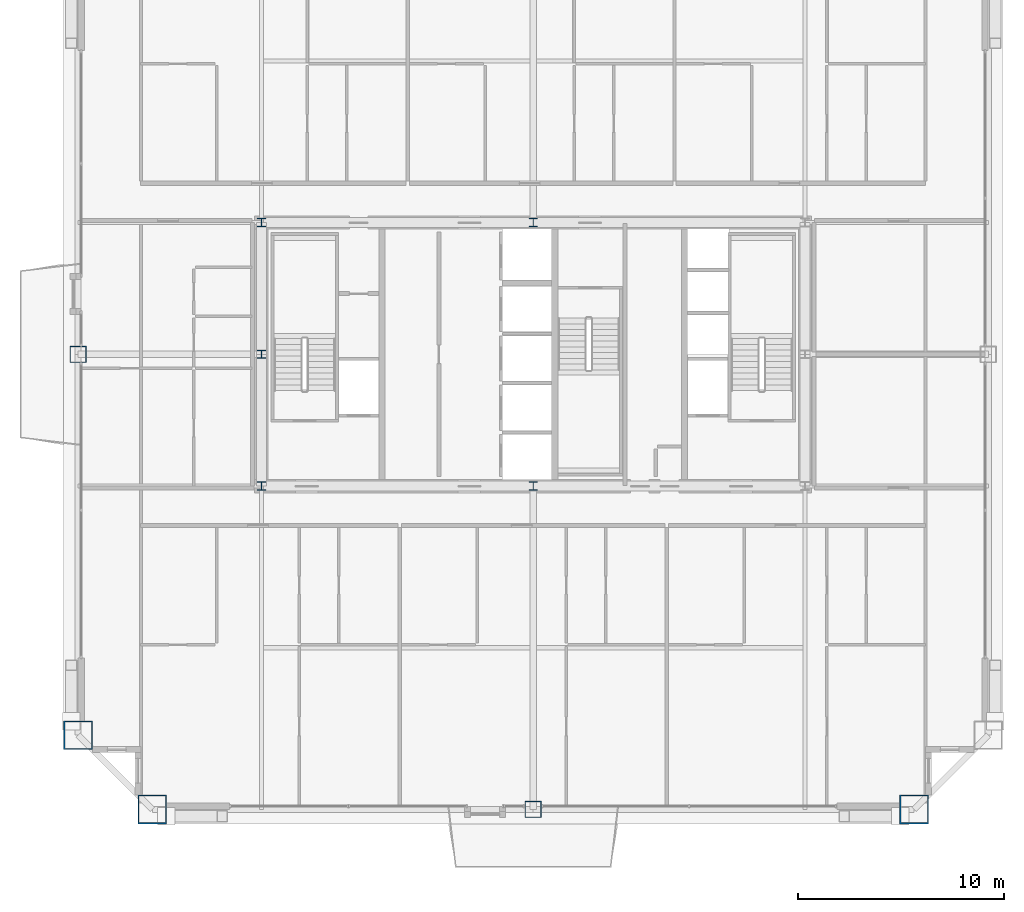
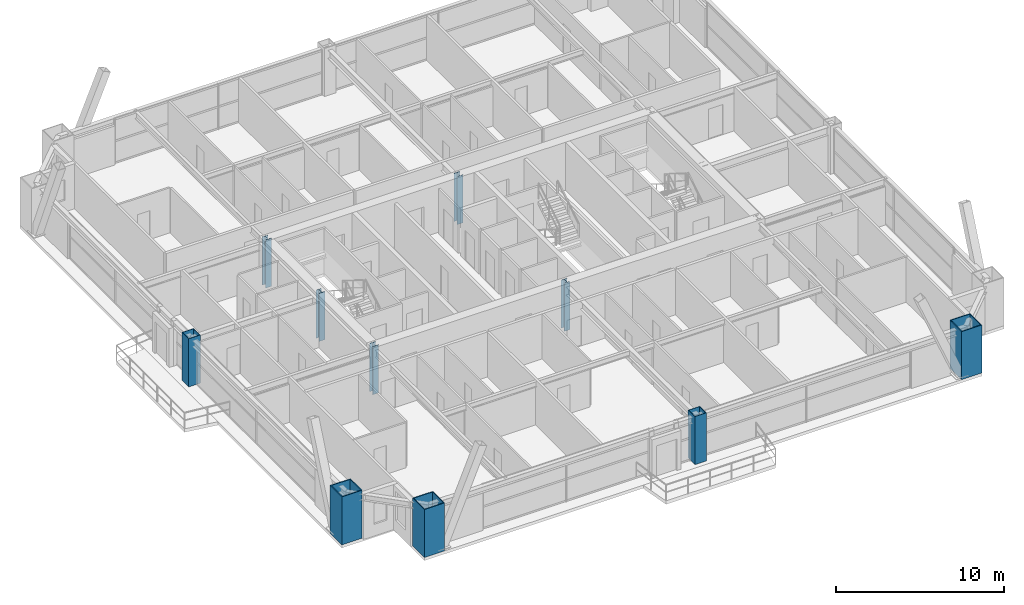
# One storey, part 1 of 42: 10 columns.
"""IFC4 building model written with IfcOpenShell, lengths in metres."""

from ifc_helpers import new_model, si_unit, direction, frame, origin, origin_2d, place, context, subcontext, project, spatial, hollow_rectangle, i_section, extrude, source, transform, mapped, material, material_profile, profile_set, type_object, element, save


model = new_model("IFC4")

# Units and contexts
model_context = context("Model", 3, precision=1e-05, world=origin(), true_north=direction((0.0, 1.0)))
body_context = subcontext(model_context, "Body", "Model", "MODEL_VIEW")
ifc_project = project(units=[si_unit("LENGTHUNIT", "METRE"), si_unit("AREAUNIT", "SQUARE_METRE"), si_unit("VOLUMEUNIT", "CUBIC_METRE"), si_unit("PLANEANGLEUNIT", "RADIAN"), si_unit("MASSUNIT", "GRAM", prefix="KILO"), si_unit("THERMODYNAMICTEMPERATUREUNIT", "KELVIN"), si_unit("POWERUNIT", "WATT")], contexts=[model_context])

# Site, building, storey
site_placement = place(None, origin())
site = spatial("IfcSite", under=ifc_project, at=site_placement, CompositionType="ELEMENT")
building_placement = place(site_placement, origin())
building = spatial("IfcBuilding", under=site, at=building_placement, Name="Yuzanri Waterfront Tower", CompositionType="ELEMENT")
storey_placement = place(building_placement, frame((0.0, 0.0, 205.5)))
storey = spatial("IfcBuildingStorey", under=building, at=storey_placement, Name="L54", CompositionType="ELEMENT", Elevation=205.5)

# Columns
ifc_material_1 = material(Name="Steel Q355B", Category="steel")
ifc_material_profile_1 = material_profile(ifc_material_1, i_section(OverallWidth=0.39990234375, OverallDepth=0.39990234375, WebThickness=0.012939453125, FlangeThickness=0.02099609375, at=origin_2d()), Name="HW 400x400x13x21")
ifc_profile_set_1 = profile_set([ifc_material_profile_1], Name="Steel Q355B")
column_type_1 = type_object("IfcColumnType", Name="Core Post Q355B HW 400x400x13x21", PredefinedType="COLUMN", material=ifc_profile_set_1)
shared_shape_1 = source(origin(), body_context, "Body", "SweptSolid", [
    extrude(i_section(OverallWidth=0.39990234375, OverallDepth=0.39990234375, WebThickness=0.012939453125, FlangeThickness=0.02099609375, at=origin_2d()), origin(), (0.0, 0.0, 1.0), 3.5),
])
for number, where, z_axis, x_axis, name in (
    (1, (23.800048828125, 19.39990234375, 0.0), (0.0, 0.0, 1.0), (1.0, 0.0, 0.0), "L54 Core Boundary Column CP1"),
    (2, (37.0, 19.39990234375, 0.0), (0.0, 0.0, 1.0), (1.0, 0.0, 0.0), "L54 Core Boundary Column CP2"),
    (3, (23.800048828125, 25.800048828125, 0.0), (0.0, 0.0, 1.0), (1.0, 0.0, 0.0), "L54 Core Boundary Column CP4"),
    (4, (23.800048828125, 32.199951171875, 0.0), (0.0, 0.0, 1.0), (1.0, 0.0, 0.0), "L54 Core Boundary Column CP6"),
    (5, (37.0, 32.199951171875, 0.0), (0.0, 0.0, 1.0), (1.0, 0.0, 0.0), "L54 Core Boundary Column CP7"),
):
    element("IfcColumn", number, at=place(storey_placement, frame(where, z_axis=z_axis, x_axis=x_axis)), inside=storey, type_object=column_type_1, Name=name, PredefinedType="COLUMN", context=body_context, shape_type="MappedRepresentation", body=[
        mapped(shared_shape_1, transform((0.0, 0.0, 0.0), scale=1.0)),
    ])
ifc_material_2 = material(Name="Steel Q420GJC", Category="steel")
ifc_material_profile_2 = material_profile(ifc_material_2, hollow_rectangle(XDim=1.39990234375, YDim=1.39990234375, WallThickness=0.06005859375, at=origin_2d()), Name="RHS 1400x1400x60")
ifc_profile_set_2 = profile_set([ifc_material_profile_2], Name="Steel Q420GJC")
column_type_2 = type_object("IfcColumnType", Name="Mega Column Q420GJC RHS 1400x1400x60", PredefinedType="COLUMN", material=ifc_profile_set_2)
shared_shape_2 = source(origin(), body_context, "Body", "SweptSolid", [
    extrude(hollow_rectangle(XDim=1.39990234375, YDim=1.39990234375, WallThickness=0.06005859375, at=origin_2d()), origin(), (0.0, 0.0, 1.0), 3.5),
])
for number, where, z_axis, x_axis, name in (
    (6, (18.5, 3.699951171875, 0.0), (0.0, 0.0, 1.0), (1.0, 0.0, 0.0), "L54 Perimeter Mega Column S1"),
    (7, (55.5, 3.699951171875, 0.0), (0.0, 0.0, 1.0), (1.0, 0.0, 0.0), "L54 Perimeter Mega Column S3"),
    (8, (14.89990234375, 7.300048828125, 0.0), (0.0, 0.0, 1.0), (1.0, 0.0, 0.0), "L54 Perimeter Mega Column W1"),
):
    element("IfcColumn", number, at=place(storey_placement, frame(where, z_axis=z_axis, x_axis=x_axis)), inside=storey, type_object=column_type_2, Name=name, PredefinedType="COLUMN", context=body_context, shape_type="MappedRepresentation", body=[
        mapped(shared_shape_2, transform((0.0, 0.0, 0.0), scale=1.0)),
    ])
ifc_material_3 = material(Name="Steel Q390GJC", Category="steel")
ifc_material_profile_3 = material_profile(ifc_material_3, hollow_rectangle(XDim=0.800048828125, YDim=0.800048828125, WallThickness=0.035888671875, at=origin_2d()), Name="RHS 800x800x36")
ifc_profile_set_3 = profile_set([ifc_material_profile_3], Name="Steel Q390GJC")
column_type_3 = type_object("IfcColumnType", Name="Frame Column Q390GJC RHS 800x800x36", PredefinedType="COLUMN", material=ifc_profile_set_3)
shared_shape_3 = source(origin(), body_context, "Body", "SweptSolid", [
    extrude(hollow_rectangle(XDim=0.800048828125, YDim=0.800048828125, WallThickness=0.035888671875, at=origin_2d()), origin(), (0.0, 0.0, 1.0), 3.5),
])
for number, where, z_axis, x_axis, name in (
    (9, (37.0, 3.699951171875, 0.0), (0.0, 0.0, 1.0), (1.0, 0.0, 0.0), "L54 Perimeter Frame Column S2"),
    (10, (14.89990234375, 25.800048828125, 0.0), (0.0, 0.0, 1.0), (1.0, 0.0, 0.0), "L54 Perimeter Frame Column W2"),
):
    element("IfcColumn", number, at=place(storey_placement, frame(where, z_axis=z_axis, x_axis=x_axis)), inside=storey, type_object=column_type_3, Name=name, PredefinedType="COLUMN", context=body_context, shape_type="MappedRepresentation", body=[
        mapped(shared_shape_3, transform((0.0, 0.0, 0.0), scale=1.0)),
    ])

save(model, "model.ifc")
